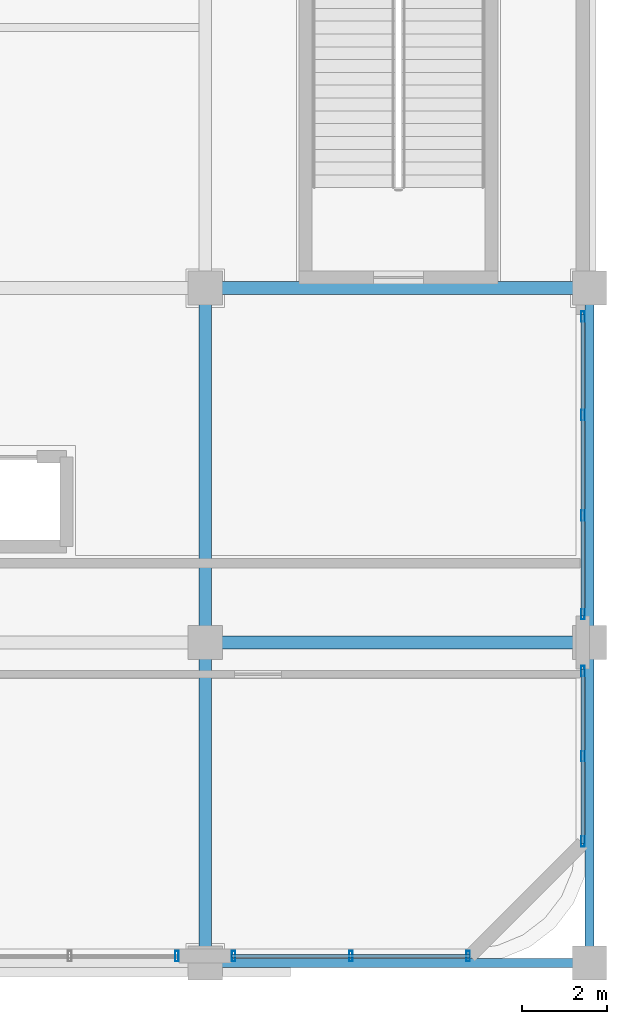
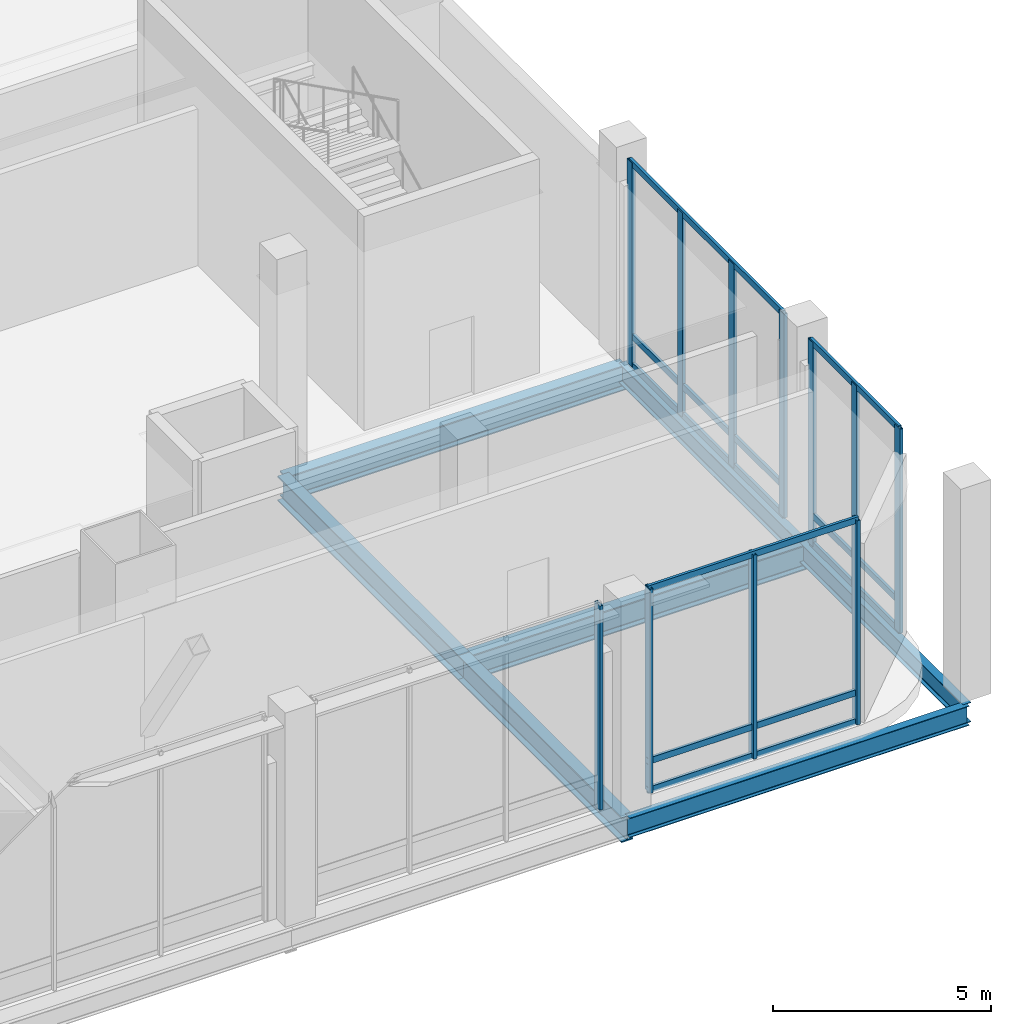
# One storey, part 19 of 38: 20 members, 7 beams, 4 elements without a shape of their own.
"""IFC4 building model written with IfcOpenShell, lengths in metres."""

from ifc_helpers import new_model, si_unit, direction, frame, origin, origin_2d, place, context, subcontext, project, spatial, hollow_rectangle, i_section, extrude, material, material_profile, profile_set, type_object, element, aggregate, save


model = new_model("IFC4")

# Units and contexts
model_context = context("Model", 3, precision=1e-05, world=origin(), true_north=direction((0.0, 1.0)))
body_context = subcontext(model_context, "Body", "Model", "MODEL_VIEW")
ifc_project = project(units=[si_unit("LENGTHUNIT", "METRE"), si_unit("AREAUNIT", "SQUARE_METRE"), si_unit("VOLUMEUNIT", "CUBIC_METRE"), si_unit("PLANEANGLEUNIT", "RADIAN"), si_unit("MASSUNIT", "GRAM", prefix="KILO")], contexts=[model_context])

# Site, building, storey
site_placement = place(None, origin())
site = spatial("IfcSite", under=ifc_project, at=site_placement, CompositionType="ELEMENT")
building_placement = place(site_placement, origin())
building = spatial("IfcBuilding", under=site, at=building_placement, Name="Punatoya Terracotta Tower", CompositionType="ELEMENT")
storey_placement = place(building_placement, frame((0.0, 0.0, 22.199951171875)))
storey = spatial("IfcBuildingStorey", under=building, at=storey_placement, Name="L04", CompositionType="ELEMENT", Elevation=22.199951171875)

# Beams
ifc_material_1 = material(Name="Steel S355", Category="steel")
ifc_material_profile_1 = material_profile(ifc_material_1, i_section(OverallWidth=0.300048828125, OverallDepth=0.699951171875, WebThickness=0.01708984375, FlangeThickness=0.031982421875, FilletRadius=0.01806640625, at=origin_2d()))
ifc_profile_set_1 = profile_set([ifc_material_profile_1], Name="Steel S355")
beam_type_1 = type_object("IfcBeamType", Name="BM-PRI-700", PredefinedType="BEAM", material=ifc_profile_set_1)
for number, where, z_axis, x_axis, name in (
    (1, (28.0, -17.5, -0.72998046875), (1.0, 0.0, 0.0), (0.0, 1.0, 0.0), "BM-L04-BE2"),
    (2, (28.0, -9.199951171875, -0.72998046875), (1.0, 0.0, 0.0), (0.0, 1.0, 0.0), "BM-L04-CE2"),
):
    element("IfcBeam", number, at=place(storey_placement, frame(where, z_axis=z_axis, x_axis=x_axis)), inside=storey, type_object=beam_type_1, Name=name, PredefinedType="BEAM", context=body_context, shape_type="SweptSolid", body=[
        extrude(i_section(OverallWidth=0.300048828125, OverallDepth=0.699951171875, WebThickness=0.01708984375, FlangeThickness=0.031982421875, FilletRadius=0.01806640625, at=origin_2d()), origin(), (0.0, 0.0, 1.0), 9.0),
    ])
beam_1_placement = place(storey_placement, frame((28.0, -25.0, -0.72998046875), z_axis=(0.0, 1.0, 0.0), x_axis=(-1.0, 0.0, 0.0)))
element("IfcBeam", 3, at=beam_1_placement, inside=storey, type_object=beam_type_1, Name="BM-L04-X28E--25", PredefinedType="BEAM", context=body_context, shape_type="SweptSolid", body=[
    extrude(i_section(OverallWidth=0.300048828125, OverallDepth=0.699951171875, WebThickness=0.01708984375, FlangeThickness=0.031982421875, FilletRadius=0.01806640625, at=origin_2d()), origin(), (0.0, 0.0, 1.0), 7.5),
])
beam_2_placement = place(storey_placement, frame((28.0, -17.5, -0.72998046875), z_axis=(0.0, 1.0, 0.0), x_axis=(-1.0, 0.0, 0.0)))
element("IfcBeam", 4, at=beam_2_placement, inside=storey, type_object=beam_type_1, Name="BM-L04-X28E--17", PredefinedType="BEAM", context=body_context, shape_type="SweptSolid", body=[
    extrude(i_section(OverallWidth=0.300048828125, OverallDepth=0.699951171875, WebThickness=0.01708984375, FlangeThickness=0.031982421875, FilletRadius=0.01806640625, at=origin_2d()), origin(), (0.0, 0.0, 1.0), 8.300048828125),
])
ifc_material_profile_2 = material_profile(ifc_material_1, i_section(OverallWidth=0.2099609375, OverallDepth=0.550048828125, WebThickness=0.010986328125, FlangeThickness=0.01708984375, FilletRadius=0.01806640625, at=origin_2d()))
ifc_profile_set_2 = profile_set([ifc_material_profile_2], Name="Steel S355")
beam_type_2 = type_object("IfcBeamType", Name="BM-SPN-550", PredefinedType="SPANDREL", material=ifc_profile_set_2)
beam_3_placement = place(storey_placement, frame((28.0, -25.0, -0.655029296875), z_axis=(1.0, 0.0, 0.0), x_axis=(0.0, 1.0, 0.0)))
element("IfcBeam", 5, at=beam_3_placement, inside=storey, type_object=beam_type_2, Name="BM-L04-AE2", PredefinedType="SPANDREL", context=body_context, shape_type="SweptSolid", body=[
    extrude(i_section(OverallWidth=0.2099609375, OverallDepth=0.550048828125, WebThickness=0.010986328125, FlangeThickness=0.01708984375, FilletRadius=0.01806640625, at=origin_2d()), origin(), (0.0, 0.0, 1.0), 9.0),
])
beam_4_placement = place(storey_placement, frame((37.0, -25.0, -0.655029296875), z_axis=(0.0, 1.0, 0.0), x_axis=(-1.0, 0.0, 0.0)))
element("IfcBeam", 6, at=beam_4_placement, inside=storey, type_object=beam_type_2, Name="BM-L04-X37E--25", PredefinedType="SPANDREL", context=body_context, shape_type="SweptSolid", body=[
    extrude(i_section(OverallWidth=0.2099609375, OverallDepth=0.550048828125, WebThickness=0.010986328125, FlangeThickness=0.01708984375, FilletRadius=0.01806640625, at=origin_2d()), origin(), (0.0, 0.0, 1.0), 7.5),
])
beam_5_placement = place(storey_placement, frame((37.0, -17.5, -0.655029296875), z_axis=(0.0, 1.0, 0.0), x_axis=(-1.0, 0.0, 0.0)))
element("IfcBeam", 7, at=beam_5_placement, inside=storey, type_object=beam_type_2, Name="BM-L04-X37E--17", PredefinedType="SPANDREL", context=body_context, shape_type="SweptSolid", body=[
    extrude(i_section(OverallWidth=0.2099609375, OverallDepth=0.550048828125, WebThickness=0.010986328125, FlangeThickness=0.01708984375, FilletRadius=0.01806640625, at=origin_2d()), origin(), (0.0, 0.0, 1.0), 8.300048828125),
])

# Curtain wall, member
ifc_material_2 = material(Name="Aluminium 6063-T6 + Double Low-E Glass", Category="aluminium")
curtain_wall_type = type_object("IfcCurtainWallType", Name="CW-POD", PredefinedType="NOTDEFINED", material=ifc_material_2)
curtain_wall_1_placement = place(storey_placement, origin())
curtain_wall_1 = element("IfcCurtainWall", 8, at=curtain_wall_1_placement, inside=storey, type_object=curtain_wall_type, Name="L04 Curtain Wall CWP-L04-S6", PredefinedType="NOTDEFINED")
ifc_material_3 = material(Name="Aluminium 6063-T6", Category="aluminium")
ifc_material_profile_3 = material_profile(ifc_material_3, hollow_rectangle(XDim=0.0849609375, YDim=0.239990234375, WallThickness=0.0048828125, at=origin_2d()))
ifc_profile_set_3 = profile_set([ifc_material_profile_3], Name="Aluminium 6063-T6")
member_type_1 = type_object("IfcMemberType", Name="CW-MUL-POD", PredefinedType="MULLION", material=ifc_profile_set_3)
member_1_placement = place(storey_placement, frame((27.3349609375, -24.840087890625, 0.0), z_axis=(0.0, 0.0, 1.0), x_axis=(1.0, 0.0, 0.0)))
member_1 = element("IfcMember", 9, at=member_1_placement, type_object=member_type_1, Name="CWP-L04-S6 Mullion 03", PredefinedType="MULLION", context=body_context, shape_type="SweptSolid", body=[
    extrude(hollow_rectangle(XDim=0.0849609375, YDim=0.239990234375, WallThickness=0.0048828125, at=origin_2d()), origin(), (0.0, 0.0, 1.0), 5.719970703125),
])
aggregate(curtain_wall_1, [member_1])

# Curtain wall, members
curtain_wall_2_placement = place(storey_placement, origin())
curtain_wall_2 = element("IfcCurtainWall", 10, at=curtain_wall_2_placement, inside=storey, type_object=curtain_wall_type, Name="L04 Curtain Wall CWP-L04-S7", PredefinedType="NOTDEFINED")
member_2_placement = place(storey_placement, frame((28.6650390625, -24.840087890625, 0.0), z_axis=(0.0, 0.0, 1.0), x_axis=(1.0, 0.0, 0.0)))
member_2 = element("IfcMember", 11, at=member_2_placement, type_object=member_type_1, Name="CWP-L04-S7 Mullion 00", PredefinedType="MULLION", context=body_context, shape_type="SweptSolid", body=[
    extrude(hollow_rectangle(XDim=0.0849609375, YDim=0.239990234375, WallThickness=0.0048828125, at=origin_2d()), origin(), (0.0, 0.0, 1.0), 5.719970703125),
])
member_3_placement = place(storey_placement, frame((31.409912109375, -24.840087890625, 0.0), z_axis=(0.0, 0.0, 1.0), x_axis=(1.0, 0.0, 0.0)))
member_3 = element("IfcMember", 12, at=member_3_placement, type_object=member_type_1, Name="CWP-L04-S7 Mullion 01", PredefinedType="MULLION", context=body_context, shape_type="SweptSolid", body=[
    extrude(hollow_rectangle(XDim=0.0849609375, YDim=0.239990234375, WallThickness=0.0048828125, at=origin_2d()), origin(), (0.0, 0.0, 1.0), 5.719970703125),
])
member_4_placement = place(storey_placement, frame((34.155029296875, -24.840087890625, 0.0), z_axis=(0.0, 0.0, 1.0), x_axis=(1.0, 0.0, 0.0)))
member_4 = element("IfcMember", 13, at=member_4_placement, type_object=member_type_1, Name="CWP-L04-S7 Mullion 02", PredefinedType="MULLION", context=body_context, shape_type="SweptSolid", body=[
    extrude(hollow_rectangle(XDim=0.0849609375, YDim=0.239990234375, WallThickness=0.0048828125, at=origin_2d()), origin(), (0.0, 0.0, 1.0), 5.719970703125),
])

curtain_wall_3_placement = place(storey_placement, origin())
curtain_wall_3 = element("IfcCurtainWall", 14, at=curtain_wall_3_placement, inside=storey, type_object=curtain_wall_type, Name="L04 Curtain Wall CWP-L04-E1", PredefinedType="NOTDEFINED")
member_5_placement = place(storey_placement, frame((36.840087890625, -18.1650390625, 0.0), z_axis=(0.0, 0.0, 1.0), x_axis=(1.0, 0.0, 0.0)))
member_5 = element("IfcMember", 15, at=member_5_placement, type_object=member_type_1, Name="CWP-L04-E1 Mullion 00", PredefinedType="MULLION", context=body_context, shape_type="SweptSolid", body=[
    extrude(hollow_rectangle(XDim=0.0849609375, YDim=0.239990234375, WallThickness=0.0048828125, at=origin_2d()), origin(), (0.0, 0.0, 1.0), 5.719970703125),
])
member_6_placement = place(storey_placement, frame((36.840087890625, -20.159912109375, 0.0), z_axis=(0.0, 0.0, 1.0), x_axis=(1.0, 0.0, 0.0)))
member_6 = element("IfcMember", 16, at=member_6_placement, type_object=member_type_1, Name="CWP-L04-E1 Mullion 01", PredefinedType="MULLION", context=body_context, shape_type="SweptSolid", body=[
    extrude(hollow_rectangle(XDim=0.0849609375, YDim=0.239990234375, WallThickness=0.0048828125, at=origin_2d()), origin(), (0.0, 0.0, 1.0), 5.719970703125),
])
member_7_placement = place(storey_placement, frame((36.840087890625, -22.155029296875, 0.0), z_axis=(0.0, 0.0, 1.0), x_axis=(1.0, 0.0, 0.0)))
member_7 = element("IfcMember", 17, at=member_7_placement, type_object=member_type_1, Name="CWP-L04-E1 Mullion 02", PredefinedType="MULLION", context=body_context, shape_type="SweptSolid", body=[
    extrude(hollow_rectangle(XDim=0.0849609375, YDim=0.239990234375, WallThickness=0.0048828125, at=origin_2d()), origin(), (0.0, 0.0, 1.0), 5.719970703125),
])

curtain_wall_4_placement = place(storey_placement, origin())
curtain_wall_4 = element("IfcCurtainWall", 18, at=curtain_wall_4_placement, inside=storey, type_object=curtain_wall_type, Name="L04 Curtain Wall CWP-L04-E2", PredefinedType="NOTDEFINED")
member_8_placement = place(storey_placement, frame((36.840087890625, -9.864990234375, 0.0), z_axis=(0.0, 0.0, 1.0), x_axis=(1.0, 0.0, 0.0)))
member_8 = element("IfcMember", 19, at=member_8_placement, type_object=member_type_1, Name="CWP-L04-E2 Mullion 00", PredefinedType="MULLION", context=body_context, shape_type="SweptSolid", body=[
    extrude(hollow_rectangle(XDim=0.0849609375, YDim=0.239990234375, WallThickness=0.0048828125, at=origin_2d()), origin(), (0.0, 0.0, 1.0), 5.719970703125),
])
member_9_placement = place(storey_placement, frame((36.840087890625, -12.17333984375, 0.0), z_axis=(0.0, 0.0, 1.0), x_axis=(1.0, 0.0, 0.0)))
member_9 = element("IfcMember", 20, at=member_9_placement, type_object=member_type_1, Name="CWP-L04-E2 Mullion 01", PredefinedType="MULLION", context=body_context, shape_type="SweptSolid", body=[
    extrude(hollow_rectangle(XDim=0.0849609375, YDim=0.239990234375, WallThickness=0.0048828125, at=origin_2d()), origin(), (0.0, 0.0, 1.0), 5.719970703125),
])
member_10_placement = place(storey_placement, frame((36.840087890625, -14.526611328125, 0.0), z_axis=(0.0, 0.0, 1.0), x_axis=(1.0, 0.0, 0.0)))
member_10 = element("IfcMember", 21, at=member_10_placement, type_object=member_type_1, Name="CWP-L04-E2 Mullion 02", PredefinedType="MULLION", context=body_context, shape_type="SweptSolid", body=[
    extrude(hollow_rectangle(XDim=0.0849609375, YDim=0.239990234375, WallThickness=0.0048828125, at=origin_2d()), origin(), (0.0, 0.0, 1.0), 5.719970703125),
])
member_11_placement = place(storey_placement, frame((36.840087890625, -16.8349609375, 0.0), z_axis=(0.0, 0.0, 1.0), x_axis=(1.0, 0.0, 0.0)))
member_11 = element("IfcMember", 22, at=member_11_placement, type_object=member_type_1, Name="CWP-L04-E2 Mullion 03", PredefinedType="MULLION", context=body_context, shape_type="SweptSolid", body=[
    extrude(hollow_rectangle(XDim=0.0849609375, YDim=0.239990234375, WallThickness=0.0048828125, at=origin_2d()), origin(), (0.0, 0.0, 1.0), 5.719970703125),
])

# Member
ifc_material_profile_4 = material_profile(ifc_material_3, hollow_rectangle(XDim=0.074951171875, YDim=0.175048828125, WallThickness=0.00439453125, at=origin_2d()))
ifc_profile_set_4 = profile_set([ifc_material_profile_4], Name="Aluminium 6063-T6")
member_type_2 = type_object("IfcMemberType", Name="CW-TRN-POD", PredefinedType="USERDEFINED", material=ifc_profile_set_4)
member_12_placement = place(storey_placement, frame((28.6201171875, -24.840087890625, 0.0400390625), z_axis=(1.0, 0.0, 0.0), x_axis=(0.0, 1.0, 0.0)))
member_12 = element("IfcMember", 23, at=member_12_placement, type_object=member_type_2, Name="CWP-L04-S7 Transom 1", ObjectType="TRANSOM", PredefinedType="USERDEFINED", context=body_context, shape_type="SweptSolid", body=[
    extrude(hollow_rectangle(XDim=0.074951171875, YDim=0.175048828125, WallThickness=0.00439453125, at=origin_2d()), origin(), (0.0, 0.0, 1.0), 5.579833984375),
])

member_13_placement = place(storey_placement, frame((28.6201171875, -24.840087890625, 0.85009765625), z_axis=(1.0, 0.0, 0.0), x_axis=(0.0, 1.0, 0.0)))
member_13 = element("IfcMember", 24, at=member_13_placement, type_object=member_type_2, Name="CWP-L04-S7 Transom 2", ObjectType="TRANSOM", PredefinedType="USERDEFINED", context=body_context, shape_type="SweptSolid", body=[
    extrude(hollow_rectangle(XDim=0.074951171875, YDim=0.175048828125, WallThickness=0.00439453125, at=origin_2d()), origin(), (0.0, 0.0, 1.0), 5.579833984375),
])

member_14_placement = place(storey_placement, frame((28.6201171875, -24.840087890625, 5.679931640625), z_axis=(1.0, 0.0, 0.0), x_axis=(0.0, 1.0, 0.0)))
member_14 = element("IfcMember", 25, at=member_14_placement, type_object=member_type_2, Name="CWP-L04-S7 Transom 3", ObjectType="TRANSOM", PredefinedType="USERDEFINED", context=body_context, shape_type="SweptSolid", body=[
    extrude(hollow_rectangle(XDim=0.074951171875, YDim=0.175048828125, WallThickness=0.00439453125, at=origin_2d()), origin(), (0.0, 0.0, 1.0), 5.579833984375),
])

aggregate(curtain_wall_2, [member_2, member_3, member_4, member_12, member_13, member_14])

member_15_placement = place(storey_placement, frame((36.840087890625, -18.1201171875, 0.0400390625), z_axis=(0.0, -1.0, 0.0), x_axis=(1.0, 0.0, 0.0)))
member_15 = element("IfcMember", 26, at=member_15_placement, type_object=member_type_2, Name="CWP-L04-E1 Transom 1", ObjectType="TRANSOM", PredefinedType="USERDEFINED", context=body_context, shape_type="SweptSolid", body=[
    extrude(hollow_rectangle(XDim=0.074951171875, YDim=0.175048828125, WallThickness=0.00439453125, at=origin_2d()), origin(), (0.0, 0.0, 1.0), 4.079833984375),
])

member_16_placement = place(storey_placement, frame((36.840087890625, -18.1201171875, 0.85009765625), z_axis=(0.0, -1.0, 0.0), x_axis=(1.0, 0.0, 0.0)))
member_16 = element("IfcMember", 27, at=member_16_placement, type_object=member_type_2, Name="CWP-L04-E1 Transom 2", ObjectType="TRANSOM", PredefinedType="USERDEFINED", context=body_context, shape_type="SweptSolid", body=[
    extrude(hollow_rectangle(XDim=0.074951171875, YDim=0.175048828125, WallThickness=0.00439453125, at=origin_2d()), origin(), (0.0, 0.0, 1.0), 4.079833984375),
])

member_17_placement = place(storey_placement, frame((36.840087890625, -18.1201171875, 5.679931640625), z_axis=(0.0, -1.0, 0.0), x_axis=(1.0, 0.0, 0.0)))
member_17 = element("IfcMember", 28, at=member_17_placement, type_object=member_type_2, Name="CWP-L04-E1 Transom 3", ObjectType="TRANSOM", PredefinedType="USERDEFINED", context=body_context, shape_type="SweptSolid", body=[
    extrude(hollow_rectangle(XDim=0.074951171875, YDim=0.175048828125, WallThickness=0.00439453125, at=origin_2d()), origin(), (0.0, 0.0, 1.0), 4.079833984375),
])

aggregate(curtain_wall_3, [member_5, member_6, member_7, member_15, member_16, member_17])

member_18_placement = place(storey_placement, frame((36.840087890625, -9.820068359375, 0.0400390625), z_axis=(0.0, -1.0, 0.0), x_axis=(1.0, 0.0, 0.0)))
member_18 = element("IfcMember", 29, at=member_18_placement, type_object=member_type_2, Name="CWP-L04-E2 Transom 1", ObjectType="TRANSOM", PredefinedType="USERDEFINED", context=body_context, shape_type="SweptSolid", body=[
    extrude(hollow_rectangle(XDim=0.074951171875, YDim=0.175048828125, WallThickness=0.00439453125, at=origin_2d()), origin(), (0.0, 0.0, 1.0), 7.059814453125),
])

member_19_placement = place(storey_placement, frame((36.840087890625, -9.820068359375, 0.85009765625), z_axis=(0.0, -1.0, 0.0), x_axis=(1.0, 0.0, 0.0)))
member_19 = element("IfcMember", 30, at=member_19_placement, type_object=member_type_2, Name="CWP-L04-E2 Transom 2", ObjectType="TRANSOM", PredefinedType="USERDEFINED", context=body_context, shape_type="SweptSolid", body=[
    extrude(hollow_rectangle(XDim=0.074951171875, YDim=0.175048828125, WallThickness=0.00439453125, at=origin_2d()), origin(), (0.0, 0.0, 1.0), 7.059814453125),
])

member_20_placement = place(storey_placement, frame((36.840087890625, -9.820068359375, 5.679931640625), z_axis=(0.0, -1.0, 0.0), x_axis=(1.0, 0.0, 0.0)))
member_20 = element("IfcMember", 31, at=member_20_placement, type_object=member_type_2, Name="CWP-L04-E2 Transom 3", ObjectType="TRANSOM", PredefinedType="USERDEFINED", context=body_context, shape_type="SweptSolid", body=[
    extrude(hollow_rectangle(XDim=0.074951171875, YDim=0.175048828125, WallThickness=0.00439453125, at=origin_2d()), origin(), (0.0, 0.0, 1.0), 7.059814453125),
])

aggregate(curtain_wall_4, [member_8, member_9, member_10, member_11, member_18, member_19, member_20])

save(model, "model.ifc")
